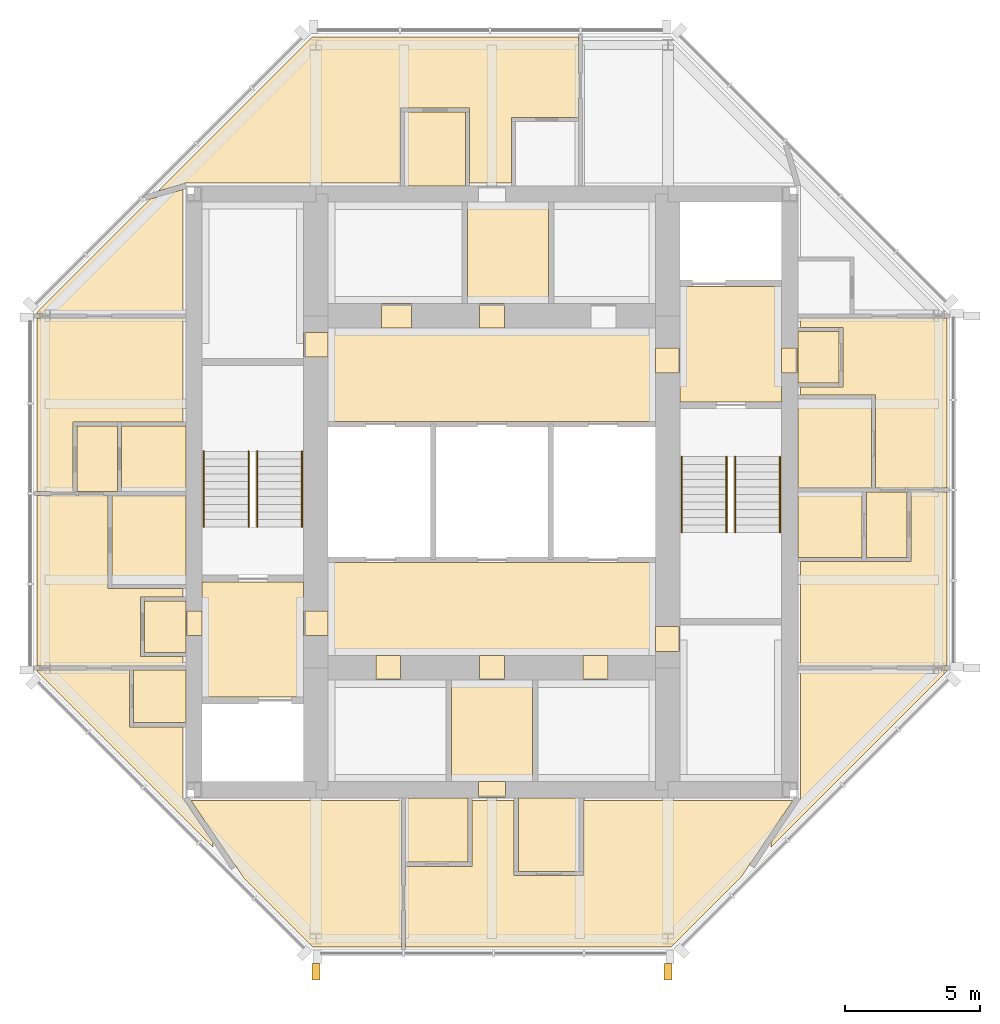
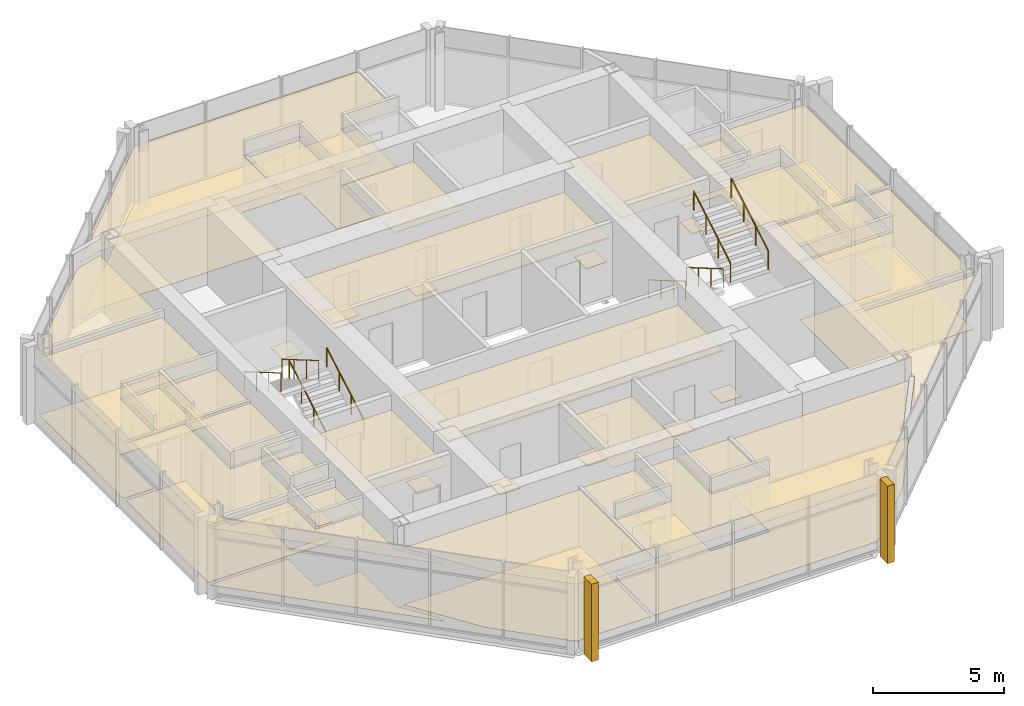
# One storey, part 8 of 9: 50 coverings, 8 railings.
"""IFC4 building model written with IfcOpenShell, lengths in metres."""

from ifc_helpers import new_model, si_unit, direction, frame, origin, origin_2d, place, context, subcontext, project, spatial, polyline, rectangle, circle, outline, extrude, material, layer, layer_set, type_object, element, save


model = new_model("IFC4")

# Units and contexts
model_context = context("Model", 3, precision=1e-05, world=origin(), true_north=direction((0.0, 1.0)))
body_context = subcontext(model_context, "Body", "Model", "MODEL_VIEW")
ifc_project = project(units=[si_unit("LENGTHUNIT", "METRE"), si_unit("AREAUNIT", "SQUARE_METRE"), si_unit("VOLUMEUNIT", "CUBIC_METRE"), si_unit("PLANEANGLEUNIT", "RADIAN"), si_unit("MASSUNIT", "GRAM", prefix="KILO")], contexts=[model_context])

# Site, building, storey
site_placement = place(None, origin())
site = spatial("IfcSite", under=ifc_project, at=site_placement, CompositionType="ELEMENT")
building_placement = place(site_placement, origin())
building = spatial("IfcBuilding", under=site, at=building_placement, Name="Trevanion Tower", CompositionType="ELEMENT")
storey_placement = place(building_placement, frame((0.0, 0.0, 281.199951171875)))
storey = spatial("IfcBuildingStorey", under=building, at=storey_placement, Name="L69", CompositionType="ELEMENT", Elevation=281.199951171875)

# Coverings
ifc_material_1 = material(Name="Fibrous plaster coffers on suspended steel grid", Category="steel")
ifc_layer_1 = layer(ifc_material_1, 0.050048828125)
ifc_layer_set_1 = layer_set([ifc_layer_1], Name="CL1 coffered fibrous plaster ceiling 50")
covering_type_1 = type_object("IfcCoveringType", Name="CL1 coffered fibrous plaster ceiling 50", PredefinedType="CEILING", material=ifc_layer_set_1)
covering_1_placement = place(storey_placement, frame((0.0, 0.0, 2.530029296875)))
element("IfcCovering", 1, at=covering_1_placement, inside=storey, type_object=covering_type_1, Name="CL1 L69-LBN", PredefinedType="CEILING", context=body_context, shape_type="SweptSolid", body=[
    extrude(outline(polyline([(6.050048828125, 2.60009765625), (6.050048828125, 6.050048828125), (-6.050048828125, 6.050048828125), (-6.050048828125, 2.60009765625), (6.050048828125, 2.60009765625)])), origin(), (0.0, 0.0, 1.0), 0.050048828125),
])
covering_2_placement = place(storey_placement, frame((0.0, 0.0, 2.530029296875)))
element("IfcCovering", 2, at=covering_2_placement, inside=storey, type_object=covering_type_1, Name="CL1 L69-LBS", PredefinedType="CEILING", context=body_context, shape_type="SweptSolid", body=[
    extrude(outline(polyline([(6.050048828125, -6.050048828125), (6.050048828125, -2.60009765625), (-6.050048828125, -2.60009765625), (-6.050048828125, -6.050048828125), (6.050048828125, -6.050048828125)])), origin(), (0.0, 0.0, 1.0), 0.050048828125),
])
ifc_material_2 = material(Name="Mineral fibre acoustic tiles in exposed grid", Category="mineral fibre")
ifc_layer_2 = layer(ifc_material_2, 0.02001953125)
ifc_layer_set_2 = layer_set([ifc_layer_2], Name="CL2 acoustic tile ceiling 20")
covering_type_2 = type_object("IfcCoveringType", Name="CL2 acoustic tile ceiling 20", PredefinedType="CEILING", material=ifc_layer_set_2)
covering_3_placement = place(storey_placement, frame((0.0, 0.0, 2.56005859375)))
element("IfcCovering", 3, at=covering_3_placement, inside=storey, type_object=covering_type_2, Name="CL2 L69-CNC", PredefinedType="CEILING", context=body_context, shape_type="SweptSolid", body=[
    extrude(outline(polyline([(2.10009765625, 6.949951171875), (2.10009765625, 10.699951171875), (-0.89990234375, 10.699951171875), (-0.89990234375, 6.949951171875), (2.10009765625, 6.949951171875)])), origin(), (0.0, 0.0, 1.0), 0.02001953125),
])
covering_4_placement = place(storey_placement, frame((0.0, 0.0, 2.56005859375)))
element("IfcCovering", 4, at=covering_4_placement, inside=storey, type_object=covering_type_2, Name="CL2 L69-CSC", PredefinedType="CEILING", context=body_context, shape_type="SweptSolid", body=[
    extrude(outline(polyline([(1.5, -10.699951171875), (1.5, -6.949951171875), (-1.5, -6.949951171875), (-1.5, -10.699951171875), (1.5, -10.699951171875)])), origin(), (0.0, 0.0, 1.0), 0.02001953125),
])
ifc_material_3 = material(Name="Gypsum plasterboard on suspended metal furring", Category="gypsum")
ifc_layer_3 = layer(ifc_material_3, 0.012939453125)
ifc_layer_set_3 = layer_set([ifc_layer_3], Name="CL3 plasterboard ceiling 13")
covering_type_3 = type_object("IfcCoveringType", Name="CL3 plasterboard ceiling 13", PredefinedType="CEILING", material=ifc_layer_set_3)
covering_5_placement = place(storey_placement, frame((0.0, 0.0, 2.699951171875)))
element("IfcCovering", 5, at=covering_5_placement, inside=storey, type_object=covering_type_3, Name="CL3 L69-FV1", PredefinedType="CEILING", context=body_context, shape_type="SweptSolid", body=[
    extrude(outline(polyline([(10.699951171875, 3.324951171875), (10.699951171875, 7.574951171875), (6.949951171875, 7.574951171875), (6.949951171875, 3.324951171875), (10.699951171875, 3.324951171875)])), origin(), (0.0, 0.0, 1.0), 0.01318359375),
])
covering_6_placement = place(storey_placement, frame((0.0, 0.0, 2.699951171875)))
element("IfcCovering", 6, at=covering_6_placement, inside=storey, type_object=covering_type_3, Name="CL3 L69-FV2", PredefinedType="CEILING", context=body_context, shape_type="SweptSolid", body=[
    extrude(outline(polyline([(-10.699951171875, -3.324951171875), (-10.699951171875, -7.574951171875), (-6.949951171875, -7.574951171875), (-6.949951171875, -3.324951171875), (-10.699951171875, -3.324951171875)])), origin(), (0.0, 0.0, 1.0), 0.01318359375),
])
covering_7_placement = place(storey_placement, frame((0.0, 0.0, 2.699951171875)))
element("IfcCovering", 7, at=covering_7_placement, inside=storey, type_object=covering_type_3, Name="CL3 L69-REE", PredefinedType="CEILING", context=body_context, shape_type="SweptSolid", body=[
    extrude(outline(polyline([(12.824951171875, 4.02490234375), (12.824951171875, 5.925048828125), (11.300048828125, 5.925048828125), (11.300048828125, 4.02490234375), (12.824951171875, 4.02490234375)])), origin(), (0.0, 0.0, 1.0), 0.01318359375),
])
covering_8_placement = place(storey_placement, frame((0.0, 0.0, 2.64599609375)))
element("IfcCovering", 8, at=covering_8_placement, inside=storey, type_object=covering_type_3, Name="CL3 L69-REH", PredefinedType="CEILING", context=body_context, shape_type="SweptSolid", body=[
    extrude(outline(polyline([(15.324951171875, -2.425048828125), (15.324951171875, -0.010009765625), (13.824951171875, -0.010009765625), (13.824951171875, -2.425048828125), (15.324951171875, -2.425048828125)])), origin(), (0.0, 0.0, 1.0), 0.012939453125),
])
covering_9_placement = place(storey_placement, frame((0.0, 0.0, 2.64111328125)))
element("IfcCovering", 9, at=covering_9_placement, inside=storey, type_object=covering_type_3, Name="CL3 L69-REY", PredefinedType="CEILING", context=body_context, shape_type="SweptSolid", body=[
    extrude(outline(polyline([(10.300048828125, -13.124267578125), (10.300048828125, -12.962890625), (11.39990234375, -11.33056640625), (11.39990234375, -6.574951171875), (16.800048828125, -6.574951171875), (16.800048828125, -6.624267578125), (10.300048828125, -13.124267578125)])), origin(), (0.0, 0.0, 1.0), 0.012939453125),
])
covering_10_placement = place(storey_placement, frame((0.0, 0.0, 2.64111328125)))
element("IfcCovering", 10, at=covering_10_placement, inside=storey, type_object=covering_type_3, Name="CL3 L69-REB", PredefinedType="CEILING", context=body_context, shape_type="SweptSolid", body=[
    extrude(outline(polyline([(11.39990234375, -6.425048828125), (11.39990234375, -2.574951171875), (15.47509765625, -2.574951171875), (15.47509765625, -0.010009765625), (16.800048828125, -0.010009765625), (16.800048828125, -6.425048828125), (11.39990234375, -6.425048828125)])), origin(), (0.0, 0.0, 1.0), 0.012939453125),
])
covering_11_placement = place(storey_placement, frame((0.0, 0.0, 2.64111328125)))
element("IfcCovering", 11, at=covering_11_placement, inside=storey, type_object=covering_type_3, Name="CL3 L69-REL", PredefinedType="CEILING", context=body_context, shape_type="SweptSolid", body=[
    extrude(outline(polyline([(14.175048828125, 0.139892578125), (14.175048828125, 3.574951171875), (11.39990234375, 3.574951171875), (11.39990234375, 3.875), (12.97509765625, 3.875), (12.97509765625, 6.074951171875), (11.39990234375, 6.074951171875), (11.39990234375, 6.425048828125), (16.800048828125, 6.425048828125), (16.800048828125, 0.139892578125), (14.175048828125, 0.139892578125)])), origin(), (0.0, 0.0, 1.0), 0.012939453125),
])
covering_12_placement = place(storey_placement, frame((0.0, 0.0, 2.64111328125)))
element("IfcCovering", 12, at=covering_12_placement, inside=storey, type_object=covering_type_3, Name="CL3 L69-RNL", PredefinedType="CEILING", context=body_context, shape_type="SweptSolid", body=[
    extrude(outline(polyline([(3.19091796875, 13.824951171875), (0.72509765625, 13.824951171875), (0.72509765625, 11.39990234375), (-0.824951171875, 11.39990234375), (-0.824951171875, 14.175048828125), (-3.375, 14.175048828125), (-3.375, 11.39990234375), (-11.314208984375, 11.39990234375), (-12.313720703125, 11.110595703125), (-6.624267578125, 16.800048828125), (3.19091796875, 16.800048828125), (3.19091796875, 13.824951171875)])), origin(), (0.0, 0.0, 1.0), 0.012939453125),
])
covering_13_placement = place(storey_placement, frame((0.0, 0.0, 2.699951171875)))
element("IfcCovering", 13, at=covering_13_placement, inside=storey, type_object=covering_type_3, Name="CL3 L69-RWE", PredefinedType="CEILING", context=body_context, shape_type="SweptSolid", body=[
    extrude(outline(polyline([(-12.824951171875, -4.02490234375), (-12.824951171875, -5.925048828125), (-11.300048828125, -5.925048828125), (-11.300048828125, -4.02490234375), (-12.824951171875, -4.02490234375)])), origin(), (0.0, 0.0, 1.0), 0.01318359375),
])
covering_14_placement = place(storey_placement, frame((0.0, 0.0, 2.64599609375)))
element("IfcCovering", 14, at=covering_14_placement, inside=storey, type_object=covering_type_3, Name="CL3 L69-RWH", PredefinedType="CEILING", context=body_context, shape_type="SweptSolid", body=[
    extrude(outline(polyline([(-15.324951171875, 2.425048828125), (-15.324951171875, 0.010009765625), (-13.824951171875, 0.010009765625), (-13.824951171875, 2.425048828125), (-15.324951171875, 2.425048828125)])), origin(), (0.0, 0.0, 1.0), 0.012939453125),
])
covering_15_placement = place(storey_placement, frame((0.0, 0.0, 2.64111328125)))
element("IfcCovering", 15, at=covering_15_placement, inside=storey, type_object=covering_type_3, Name="CL3 L69-RWY", PredefinedType="CEILING", context=body_context, shape_type="SweptSolid", body=[
    extrude(outline(polyline([(-12.606689453125, 10.817626953125), (-11.39990234375, 11.1669921875), (-11.39990234375, 6.574951171875), (-16.800048828125, 6.574951171875), (-16.800048828125, 6.624267578125), (-12.606689453125, 10.817626953125)])), origin(), (0.0, 0.0, 1.0), 0.012939453125),
])
covering_16_placement = place(storey_placement, frame((0.0, 0.0, 2.64111328125)))
element("IfcCovering", 16, at=covering_16_placement, inside=storey, type_object=covering_type_3, Name="CL3 L69-RWB", PredefinedType="CEILING", context=body_context, shape_type="SweptSolid", body=[
    extrude(outline(polyline([(-11.39990234375, 6.425048828125), (-11.39990234375, 2.574951171875), (-15.47509765625, 2.574951171875), (-15.47509765625, 0.010009765625), (-16.800048828125, 0.010009765625), (-16.800048828125, 6.425048828125), (-11.39990234375, 6.425048828125)])), origin(), (0.0, 0.0, 1.0), 0.012939453125),
])
covering_17_placement = place(storey_placement, frame((0.0, 0.0, 2.64111328125)))
element("IfcCovering", 17, at=covering_17_placement, inside=storey, type_object=covering_type_3, Name="CL3 L69-RWL", PredefinedType="CEILING", context=body_context, shape_type="SweptSolid", body=[
    extrude(outline(polyline([(-14.175048828125, -0.139892578125), (-14.175048828125, -3.574951171875), (-11.39990234375, -3.574951171875), (-11.39990234375, -3.875), (-12.97509765625, -3.875), (-12.97509765625, -6.074951171875), (-11.39990234375, -6.074951171875), (-11.39990234375, -6.425048828125), (-16.800048828125, -6.425048828125), (-16.800048828125, -0.139892578125), (-14.175048828125, -0.139892578125)])), origin(), (0.0, 0.0, 1.0), 0.012939453125),
])
covering_18_placement = place(storey_placement, frame((0.0, 0.0, 2.64111328125)))
element("IfcCovering", 18, at=covering_18_placement, inside=storey, type_object=covering_type_3, Name="CL3 L69-RWB2", PredefinedType="CEILING", context=body_context, shape_type="SweptSolid", body=[
    extrude(outline(polyline([(-13.375, -6.574951171875), (-13.375, -8.675048828125), (-11.39990234375, -8.675048828125), (-11.39990234375, -11.330810546875), (-10.300048828125, -12.94384765625), (-10.300048828125, -13.124267578125), (-16.800048828125, -6.624267578125), (-16.800048828125, -6.574951171875), (-13.375, -6.574951171875)])), origin(), (0.0, 0.0, 1.0), 0.012939453125),
])
covering_19_placement = place(storey_placement, frame((0.0, 0.0, 2.64111328125)))
element("IfcCovering", 19, at=covering_19_placement, inside=storey, type_object=covering_type_3, Name="CL3 L69-RSB", PredefinedType="CEILING", context=body_context, shape_type="SweptSolid", body=[
    extrude(outline(polyline([(-11.11083984375, -11.39990234375), (-3.341064453125, -11.39990234375), (-3.341064453125, -16.800048828125), (-6.624267578125, -16.800048828125), (-9.15185546875, -14.272216796875), (-11.11083984375, -11.39990234375)])), origin(), (0.0, 0.0, 1.0), 0.012939453125),
])
covering_20_placement = place(storey_placement, frame((0.0, 0.0, 2.64111328125)))
element("IfcCovering", 20, at=covering_20_placement, inside=storey, type_object=covering_type_3, Name="CL3 L69-RSL", PredefinedType="CEILING", context=body_context, shape_type="SweptSolid", body=[
    extrude(outline(polyline([(9.227294921875, -14.197021484375), (6.624267578125, -16.800048828125), (-3.19091796875, -16.800048828125), (-3.19091796875, -13.824951171875), (-0.72509765625, -13.824951171875), (-0.72509765625, -11.39990234375), (0.824951171875, -11.39990234375), (0.824951171875, -14.175048828125), (3.375, -14.175048828125), (3.375, -11.39990234375), (11.112060546875, -11.39990234375), (9.227294921875, -14.197021484375)])), origin(), (0.0, 0.0, 1.0), 0.012939453125),
])
ifc_material_4 = material(Name="Moisture-resistant gypsum board on suspended metal furring", Category="gypsum")
ifc_layer_4 = layer(ifc_material_4, 0.01611328125)
ifc_layer_set_4 = layer_set([ifc_layer_4], Name="CL4 moisture-resistant board ceiling 16")
covering_type_4 = type_object("IfcCoveringType", Name="CL4 moisture-resistant board ceiling 16", PredefinedType="CEILING", material=ifc_layer_set_4)
covering_21_placement = place(storey_placement, frame((0.0, 0.0, 2.60009765625)))
element("IfcCovering", 21, at=covering_21_placement, inside=storey, type_object=covering_type_4, Name="CL4 L69-REK", PredefinedType="CEILING", context=body_context, shape_type="SweptSolid", body=[
    extrude(outline(polyline([(14.02490234375, 0.139892578125), (14.02490234375, 3.425048828125), (11.300048828125, 3.425048828125), (11.300048828125, 0.139892578125), (14.02490234375, 0.139892578125)])), origin(), (0.0, 0.0, 1.0), 0.015869140625),
])
covering_22_placement = place(storey_placement, frame((0.0, 0.0, 2.60009765625)))
element("IfcCovering", 22, at=covering_22_placement, inside=storey, type_object=covering_type_4, Name="CL4 L69-RET", PredefinedType="CEILING", context=body_context, shape_type="SweptSolid", body=[
    extrude(outline(polyline([(13.675048828125, -2.425048828125), (13.675048828125, -0.010009765625), (11.300048828125, -0.010009765625), (11.300048828125, -2.425048828125), (13.675048828125, -2.425048828125)])), origin(), (0.0, 0.0, 1.0), 0.015869140625),
])
covering_23_placement = place(storey_placement, frame((0.0, 0.0, 2.60009765625)))
element("IfcCovering", 23, at=covering_23_placement, inside=storey, type_object=covering_type_4, Name="CL4 L69-RNK", PredefinedType="CEILING", context=body_context, shape_type="SweptSolid", body=[
    extrude(outline(polyline([(-0.97509765625, 14.02490234375), (-3.22509765625, 14.02490234375), (-3.22509765625, 11.300048828125), (-0.97509765625, 11.300048828125), (-0.97509765625, 14.02490234375)])), origin(), (0.0, 0.0, 1.0), 0.015869140625),
])
covering_24_placement = place(storey_placement, frame((0.0, 0.0, 2.60009765625)))
element("IfcCovering", 24, at=covering_24_placement, inside=storey, type_object=covering_type_4, Name="CL4 L69-RWK", PredefinedType="CEILING", context=body_context, shape_type="SweptSolid", body=[
    extrude(outline(polyline([(-14.02490234375, -0.139892578125), (-14.02490234375, -3.425048828125), (-11.300048828125, -3.425048828125), (-11.300048828125, -0.139892578125), (-14.02490234375, -0.139892578125)])), origin(), (0.0, 0.0, 1.0), 0.015869140625),
])
covering_25_placement = place(storey_placement, frame((0.0, 0.0, 2.60009765625)))
element("IfcCovering", 25, at=covering_25_placement, inside=storey, type_object=covering_type_4, Name="CL4 L69-RWW", PredefinedType="CEILING", context=body_context, shape_type="SweptSolid", body=[
    extrude(outline(polyline([(-13.22509765625, -6.574951171875), (-13.22509765625, -8.52490234375), (-11.300048828125, -8.52490234375), (-11.300048828125, -6.574951171875), (-13.22509765625, -6.574951171875)])), origin(), (0.0, 0.0, 1.0), 0.015869140625),
])
covering_26_placement = place(storey_placement, frame((0.0, 0.0, 2.60009765625)))
element("IfcCovering", 26, at=covering_26_placement, inside=storey, type_object=covering_type_4, Name="CL4 L69-RWT", PredefinedType="CEILING", context=body_context, shape_type="SweptSolid", body=[
    extrude(outline(polyline([(-13.675048828125, 2.425048828125), (-13.675048828125, 0.010009765625), (-11.300048828125, 0.010009765625), (-11.300048828125, 2.425048828125), (-13.675048828125, 2.425048828125)])), origin(), (0.0, 0.0, 1.0), 0.015869140625),
])
covering_27_placement = place(storey_placement, frame((0.0, 0.0, 2.60009765625)))
element("IfcCovering", 27, at=covering_27_placement, inside=storey, type_object=covering_type_4, Name="CL4 L69-RSK", PredefinedType="CEILING", context=body_context, shape_type="SweptSolid", body=[
    extrude(outline(polyline([(0.97509765625, -14.02490234375), (3.22509765625, -14.02490234375), (3.22509765625, -11.300048828125), (0.97509765625, -11.300048828125), (0.97509765625, -14.02490234375)])), origin(), (0.0, 0.0, 1.0), 0.015869140625),
])
covering_28_placement = place(storey_placement, frame((0.0, 0.0, 2.60009765625)))
element("IfcCovering", 28, at=covering_28_placement, inside=storey, type_object=covering_type_4, Name="CL4 L69-RST", PredefinedType="CEILING", context=body_context, shape_type="SweptSolid", body=[
    extrude(outline(polyline([(-3.19091796875, -13.675048828125), (-0.875, -13.675048828125), (-0.875, -11.300048828125), (-3.19091796875, -11.300048828125), (-3.19091796875, -13.675048828125)])), origin(), (0.0, 0.0, 1.0), 0.015869140625),
])
ifc_material_5 = material(Name="Cast bronze fin on aluminium carrier", Category="aluminium")
covering_type_5 = type_object("IfcCoveringType", Name="F1 bronze fin", PredefinedType="CLADDING", material=ifc_material_5)
for number, where, z_axis, x_axis, name in (
    (29, (-6.5, -17.72509765625, -0.18994140625), (0.0, 0.0, 1.0), (1.0, 0.0, 0.0), "F1 L69 south -6.5"),
    (30, (6.5, -17.72509765625, -0.18994140625), (0.0, 0.0, 1.0), (1.0, 0.0, 0.0), "F1 L69 south +6.5"),
):
    element("IfcCovering", number, at=place(storey_placement, frame(where, z_axis=z_axis, x_axis=x_axis)), inside=storey, type_object=covering_type_5, Name=name, PredefinedType="CLADDING", context=body_context, shape_type="SweptSolid", body=[
        extrude(rectangle(XDim=0.300048828125, YDim=0.60009765625, at=origin_2d()), origin(), (0.0, 0.0, 1.0), 3.60009765625),
    ])
ifc_material_6 = material(Name="Terrazzo, brass divider strips", Category="stone")
ifc_layer_5 = layer(ifc_material_6, 0.02001953125)
ifc_layer_set_5 = layer_set([ifc_layer_5], Name="FF1 terrazzo flooring")
covering_type_6 = type_object("IfcCoveringType", Name="FF1 terrazzo flooring", PredefinedType="FLOORING", material=ifc_layer_set_5)
covering_29_placement = place(storey_placement, origin())
element("IfcCovering", 31, at=covering_29_placement, inside=storey, type_object=covering_type_6, Name="FF1 threshold 69-001", PredefinedType="FLOORING", context=body_context, shape_type="SweptSolid", body=[
    extrude(outline(polyline([(11.300048828125, 4.392578125), (11.300048828125, 5.3076171875), (10.699951171875, 5.3076171875), (10.699951171875, 4.392578125), (11.300048828125, 4.392578125)])), origin(), (0.0, 0.0, 1.0), 0.02001953125),
])
covering_30_placement = place(storey_placement, origin())
element("IfcCovering", 32, at=covering_30_placement, inside=storey, type_object=covering_type_6, Name="FF1 threshold 69-002", PredefinedType="FLOORING", context=body_context, shape_type="SweptSolid", body=[
    extrude(outline(polyline([(-11.300048828125, -4.392578125), (-11.300048828125, -5.3076171875), (-10.699951171875, -5.3076171875), (-10.699951171875, -4.392578125), (-11.300048828125, -4.392578125)])), origin(), (0.0, 0.0, 1.0), 0.02001953125),
])
covering_31_placement = place(storey_placement, origin())
element("IfcCovering", 33, at=covering_31_placement, inside=storey, type_object=covering_type_6, Name="FF1 threshold 69-003", PredefinedType="FLOORING", context=body_context, shape_type="SweptSolid", body=[
    extrude(outline(polyline([(6.949951171875, 4.392578125), (6.949951171875, 5.3076171875), (6.050048828125, 5.3076171875), (6.050048828125, 4.392578125), (6.949951171875, 4.392578125)])), origin(), (0.0, 0.0, 1.0), 0.02001953125),
])
covering_32_placement = place(storey_placement, origin())
element("IfcCovering", 34, at=covering_32_placement, inside=storey, type_object=covering_type_6, Name="FF1 threshold 69-004", PredefinedType="FLOORING", context=body_context, shape_type="SweptSolid", body=[
    extrude(outline(polyline([(-6.949951171875, -4.392578125), (-6.949951171875, -5.3076171875), (-6.050048828125, -5.3076171875), (-6.050048828125, -4.392578125), (-6.949951171875, -4.392578125)])), origin(), (0.0, 0.0, 1.0), 0.02001953125),
])
covering_33_placement = place(storey_placement, origin())
element("IfcCovering", 35, at=covering_33_placement, inside=storey, type_object=covering_type_6, Name="FF1 threshold 69-009", PredefinedType="FLOORING", context=body_context, shape_type="SweptSolid", body=[
    extrude(outline(polyline([(6.949951171875, -5.889892578125), (6.949951171875, -4.97509765625), (6.050048828125, -4.97509765625), (6.050048828125, -5.889892578125), (6.949951171875, -5.889892578125)])), origin(), (0.0, 0.0, 1.0), 0.02001953125),
])
covering_34_placement = place(storey_placement, origin())
element("IfcCovering", 36, at=covering_34_placement, inside=storey, type_object=covering_type_6, Name="FF1 threshold 69-010", PredefinedType="FLOORING", context=body_context, shape_type="SweptSolid", body=[
    extrude(outline(polyline([(-6.949951171875, 5.889892578125), (-6.949951171875, 4.97509765625), (-6.050048828125, 4.97509765625), (-6.050048828125, 5.889892578125), (-6.949951171875, 5.889892578125)])), origin(), (0.0, 0.0, 1.0), 0.02001953125),
])
covering_35_placement = place(storey_placement, origin())
element("IfcCovering", 37, at=covering_35_placement, inside=storey, type_object=covering_type_6, Name="FF1 threshold 69-017", PredefinedType="FLOORING", context=body_context, shape_type="SweptSolid", body=[
    extrude(outline(polyline([(0.45751953125, 6.949951171875), (-0.45751953125, 6.949951171875), (-0.45751953125, 6.050048828125), (0.45751953125, 6.050048828125), (0.45751953125, 6.949951171875)])), origin(), (0.0, 0.0, 1.0), 0.02001953125),
])
covering_36_placement = place(storey_placement, origin())
element("IfcCovering", 38, at=covering_36_placement, inside=storey, type_object=covering_type_6, Name="FF1 threshold 69-019", PredefinedType="FLOORING", context=body_context, shape_type="SweptSolid", body=[
    extrude(outline(polyline([(-2.966064453125, 6.949951171875), (-4.083984375, 6.949951171875), (-4.083984375, 6.050048828125), (-2.966064453125, 6.050048828125), (-2.966064453125, 6.949951171875)])), origin(), (0.0, 0.0, 1.0), 0.02001953125),
])
covering_37_placement = place(storey_placement, origin())
element("IfcCovering", 39, at=covering_37_placement, inside=storey, type_object=covering_type_6, Name="FF1 threshold 69-021", PredefinedType="FLOORING", context=body_context, shape_type="SweptSolid", body=[
    extrude(outline(polyline([(-0.45751953125, -6.949951171875), (0.45751953125, -6.949951171875), (0.45751953125, -6.050048828125), (-0.45751953125, -6.050048828125), (-0.45751953125, -6.949951171875)])), origin(), (0.0, 0.0, 1.0), 0.02001953125),
])
covering_38_placement = place(storey_placement, origin())
element("IfcCovering", 40, at=covering_38_placement, inside=storey, type_object=covering_type_6, Name="FF1 threshold 69-022", PredefinedType="FLOORING", context=body_context, shape_type="SweptSolid", body=[
    extrude(outline(polyline([(-0.5, -11.300048828125), (0.5, -11.300048828125), (0.5, -10.699951171875), (-0.5, -10.699951171875), (-0.5, -11.300048828125)])), origin(), (0.0, 0.0, 1.0), 0.02001953125),
])
covering_39_placement = place(storey_placement, origin())
element("IfcCovering", 41, at=covering_39_placement, inside=storey, type_object=covering_type_6, Name="FF1 threshold 69-023", PredefinedType="FLOORING", context=body_context, shape_type="SweptSolid", body=[
    extrude(outline(polyline([(-4.282470703125, -6.949951171875), (-3.367431640625, -6.949951171875), (-3.367431640625, -6.050048828125), (-4.282470703125, -6.050048828125), (-4.282470703125, -6.949951171875)])), origin(), (0.0, 0.0, 1.0), 0.02001953125),
])
covering_40_placement = place(storey_placement, origin())
element("IfcCovering", 42, at=covering_40_placement, inside=storey, type_object=covering_type_6, Name="FF1 threshold 69-024", PredefinedType="FLOORING", context=body_context, shape_type="SweptSolid", body=[
    extrude(outline(polyline([(3.367431640625, -6.949951171875), (4.282470703125, -6.949951171875), (4.282470703125, -6.050048828125), (3.367431640625, -6.050048828125), (3.367431640625, -6.949951171875)])), origin(), (0.0, 0.0, 1.0), 0.02001953125),
])
ifc_material_7 = material(Name="Engineered oak", Category="wood")
ifc_layer_6 = layer(ifc_material_7, 0.014892578125)
ifc_layer_set_6 = layer_set([ifc_layer_6], Name="FF3 timber flooring")
covering_type_7 = type_object("IfcCoveringType", Name="FF3 timber flooring", PredefinedType="FLOORING", material=ifc_layer_set_6)
covering_41_placement = place(storey_placement, origin())
element("IfcCovering", 43, at=covering_41_placement, inside=storey, type_object=covering_type_7, Name="FF3 L69-REB", PredefinedType="FLOORING", context=body_context, shape_type="SweptSolid", body=[
    extrude(outline(polyline([(11.39990234375, -6.425048828125), (11.39990234375, -2.574951171875), (15.47509765625, -2.574951171875), (15.47509765625, -0.010009765625), (16.800048828125, -0.010009765625), (16.800048828125, -6.425048828125), (11.39990234375, -6.425048828125)])), origin(), (0.0, 0.0, 1.0), 0.01513671875),
])
covering_42_placement = place(storey_placement, origin())
element("IfcCovering", 44, at=covering_42_placement, inside=storey, type_object=covering_type_7, Name="FF3 L69-REL", PredefinedType="FLOORING", context=body_context, shape_type="SweptSolid", body=[
    extrude(outline(polyline([(14.175048828125, 0.139892578125), (14.175048828125, 3.574951171875), (11.39990234375, 3.574951171875), (11.39990234375, 3.875), (12.97509765625, 3.875), (12.97509765625, 6.074951171875), (11.39990234375, 6.074951171875), (11.39990234375, 6.425048828125), (16.800048828125, 6.425048828125), (16.800048828125, 0.139892578125), (14.175048828125, 0.139892578125)])), origin(), (0.0, 0.0, 1.0), 0.01513671875),
])
covering_43_placement = place(storey_placement, origin())
element("IfcCovering", 45, at=covering_43_placement, inside=storey, type_object=covering_type_7, Name="FF3 L69-RNL", PredefinedType="FLOORING", context=body_context, shape_type="SweptSolid", body=[
    extrude(outline(polyline([(3.19091796875, 13.824951171875), (0.72509765625, 13.824951171875), (0.72509765625, 11.39990234375), (-0.824951171875, 11.39990234375), (-0.824951171875, 14.175048828125), (-3.375, 14.175048828125), (-3.375, 11.39990234375), (-11.314208984375, 11.39990234375), (-12.313720703125, 11.110595703125), (-6.624267578125, 16.800048828125), (3.19091796875, 16.800048828125), (3.19091796875, 13.824951171875)])), origin(), (0.0, 0.0, 1.0), 0.01513671875),
])
covering_44_placement = place(storey_placement, origin())
element("IfcCovering", 46, at=covering_44_placement, inside=storey, type_object=covering_type_7, Name="FF3 L69-RWB", PredefinedType="FLOORING", context=body_context, shape_type="SweptSolid", body=[
    extrude(outline(polyline([(-11.39990234375, 6.425048828125), (-11.39990234375, 2.574951171875), (-15.47509765625, 2.574951171875), (-15.47509765625, 0.010009765625), (-16.800048828125, 0.010009765625), (-16.800048828125, 6.425048828125), (-11.39990234375, 6.425048828125)])), origin(), (0.0, 0.0, 1.0), 0.01513671875),
])
covering_45_placement = place(storey_placement, origin())
element("IfcCovering", 47, at=covering_45_placement, inside=storey, type_object=covering_type_7, Name="FF3 L69-RWL", PredefinedType="FLOORING", context=body_context, shape_type="SweptSolid", body=[
    extrude(outline(polyline([(-14.175048828125, -0.139892578125), (-14.175048828125, -3.574951171875), (-11.39990234375, -3.574951171875), (-11.39990234375, -3.875), (-12.97509765625, -3.875), (-12.97509765625, -6.074951171875), (-11.39990234375, -6.074951171875), (-11.39990234375, -6.425048828125), (-16.800048828125, -6.425048828125), (-16.800048828125, -0.139892578125), (-14.175048828125, -0.139892578125)])), origin(), (0.0, 0.0, 1.0), 0.01513671875),
])
covering_46_placement = place(storey_placement, origin())
element("IfcCovering", 48, at=covering_46_placement, inside=storey, type_object=covering_type_7, Name="FF3 L69-RWB2", PredefinedType="FLOORING", context=body_context, shape_type="SweptSolid", body=[
    extrude(outline(polyline([(-13.375, -6.574951171875), (-13.375, -8.675048828125), (-11.39990234375, -8.675048828125), (-11.39990234375, -11.330810546875), (-10.300048828125, -12.94384765625), (-10.300048828125, -13.124267578125), (-16.800048828125, -6.624267578125), (-16.800048828125, -6.574951171875), (-13.375, -6.574951171875)])), origin(), (0.0, 0.0, 1.0), 0.01513671875),
])
covering_47_placement = place(storey_placement, origin())
element("IfcCovering", 49, at=covering_47_placement, inside=storey, type_object=covering_type_7, Name="FF3 L69-RSB", PredefinedType="FLOORING", context=body_context, shape_type="SweptSolid", body=[
    extrude(outline(polyline([(-11.11083984375, -11.39990234375), (-3.341064453125, -11.39990234375), (-3.341064453125, -16.800048828125), (-6.624267578125, -16.800048828125), (-9.15185546875, -14.272216796875), (-11.11083984375, -11.39990234375)])), origin(), (0.0, 0.0, 1.0), 0.01513671875),
])
covering_48_placement = place(storey_placement, origin())
element("IfcCovering", 50, at=covering_48_placement, inside=storey, type_object=covering_type_7, Name="FF3 L69-RSL", PredefinedType="FLOORING", context=body_context, shape_type="SweptSolid", body=[
    extrude(outline(polyline([(9.227294921875, -14.197021484375), (6.624267578125, -16.800048828125), (-3.19091796875, -16.800048828125), (-3.19091796875, -13.824951171875), (-0.72509765625, -13.824951171875), (-0.72509765625, -11.39990234375), (0.824951171875, -11.39990234375), (0.824951171875, -14.175048828125), (3.375, -14.175048828125), (3.375, -11.39990234375), (11.112060546875, -11.39990234375), (9.227294921875, -14.197021484375)])), origin(), (0.0, 0.0, 1.0), 0.01513671875),
])

# Railings
ifc_material_8 = material(Name="Stainless steel tube 40 mm", Category="steel")
railing_type = type_object("IfcRailingType", Name="HR1 handrail", PredefinedType="HANDRAIL", material=ifc_material_8)
for number, where, name in (
    (51, (7.010009765625, 1.300048828125, 0.16357421875), "HR1 ST1 L69 flight 1"),
    (52, (8.6650390625, 1.300048828125, 0.16357421875), "HR1 ST1 L69 flight 1"),
):
    element("IfcRailing", number, at=place(storey_placement, frame(where)), inside=storey, type_object=railing_type, Name=name, PredefinedType="HANDRAIL", context=body_context, shape_type="SweptSolid", body=[
        extrude(circle(Radius=0.02001953125, at=origin_2d()), frame((0.0, 0.0, 0.8798828125), z_axis=(0.0, -0.863360870873, 0.504586966384), x_axis=(1.0, 0.0, 0.0)), (0.0, 0.0, 1.0), 3.2431640625),
        extrude(circle(Radius=0.01513671875, at=origin_2d()), origin(), (0.0, 0.0, 1.0), 0.85986328125),
        extrude(circle(Radius=0.01513671875, at=origin_2d()), frame((0.0, -0.933349609375, 0.54541015625)), (0.0, 0.0, 1.0), 0.85986328125),
        extrude(circle(Radius=0.01513671875, at=origin_2d()), frame((0.0, -1.86669921875, 1.091064453125)), (0.0, 0.0, 1.0), 0.85986328125),
        extrude(circle(Radius=0.01513671875, at=origin_2d()), frame((0.0, -2.800048828125, 1.636474609375)), (0.0, 0.0, 1.0), 0.85986328125),
    ])
for number, where, name in (
    (53, (8.985107421875, -1.5, 1.963623046875), "HR1 ST1 L69 flight 2"),
    (54, (10.639892578125, -1.5, 1.963623046875), "HR1 ST1 L69 flight 2"),
    (55, (-7.010009765625, -1.300048828125, 0.16357421875), "HR1 ST2 L69 flight 1"),
    (56, (-8.6650390625, -1.300048828125, 0.16357421875), "HR1 ST2 L69 flight 1"),
):
    element("IfcRailing", number, at=place(storey_placement, frame(where)), inside=storey, type_object=railing_type, Name=name, PredefinedType="HANDRAIL", context=body_context, shape_type="SweptSolid", body=[
        extrude(circle(Radius=0.02001953125, at=origin_2d()), frame((0.0, 0.0, 0.8798828125), z_axis=(0.0, 0.863360870873, 0.504586966384), x_axis=(-1.0, 0.0, 0.0)), (0.0, 0.0, 1.0), 3.2431640625),
        extrude(circle(Radius=0.01513671875, at=origin_2d()), origin(), (0.0, 0.0, 1.0), 0.85986328125),
        extrude(circle(Radius=0.01513671875, at=origin_2d()), frame((0.0, 0.933349609375, 0.54541015625)), (0.0, 0.0, 1.0), 0.85986328125),
        extrude(circle(Radius=0.01513671875, at=origin_2d()), frame((0.0, 1.86669921875, 1.091064453125)), (0.0, 0.0, 1.0), 0.85986328125),
        extrude(circle(Radius=0.01513671875, at=origin_2d()), frame((0.0, 2.800048828125, 1.636474609375)), (0.0, 0.0, 1.0), 0.85986328125),
    ])
for number, where, name in (
    (57, (-8.985107421875, 1.5, 1.963623046875), "HR1 ST2 L69 flight 2"),
    (58, (-10.639892578125, 1.5, 1.963623046875), "HR1 ST2 L69 flight 2"),
):
    element("IfcRailing", number, at=place(storey_placement, frame(where)), inside=storey, type_object=railing_type, Name=name, PredefinedType="HANDRAIL", context=body_context, shape_type="SweptSolid", body=[
        extrude(circle(Radius=0.02001953125, at=origin_2d()), frame((0.0, 0.0, 0.8798828125), z_axis=(0.0, -0.863360870873, 0.504586966384), x_axis=(1.0, 0.0, 0.0)), (0.0, 0.0, 1.0), 3.2431640625),
        extrude(circle(Radius=0.01513671875, at=origin_2d()), origin(), (0.0, 0.0, 1.0), 0.85986328125),
        extrude(circle(Radius=0.01513671875, at=origin_2d()), frame((0.0, -0.933349609375, 0.54541015625)), (0.0, 0.0, 1.0), 0.85986328125),
        extrude(circle(Radius=0.01513671875, at=origin_2d()), frame((0.0, -1.86669921875, 1.091064453125)), (0.0, 0.0, 1.0), 0.85986328125),
        extrude(circle(Radius=0.01513671875, at=origin_2d()), frame((0.0, -2.800048828125, 1.636474609375)), (0.0, 0.0, 1.0), 0.85986328125),
    ])

save(model, "model.ifc")
